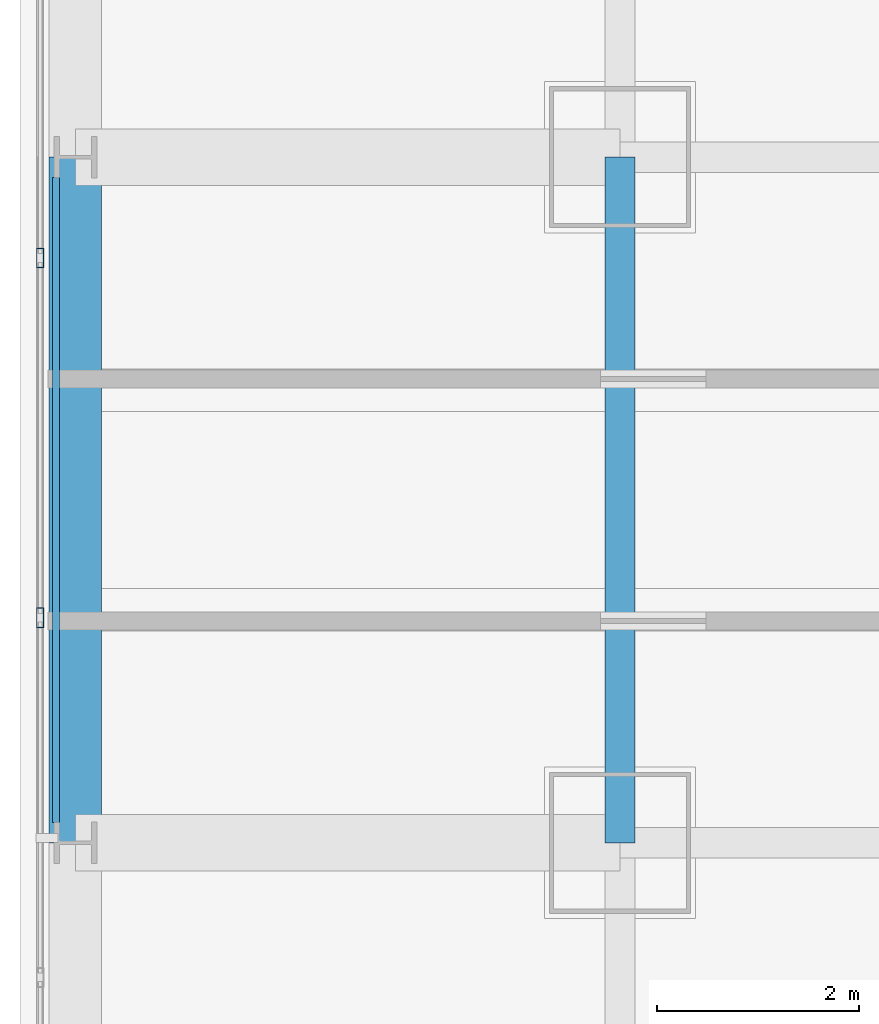
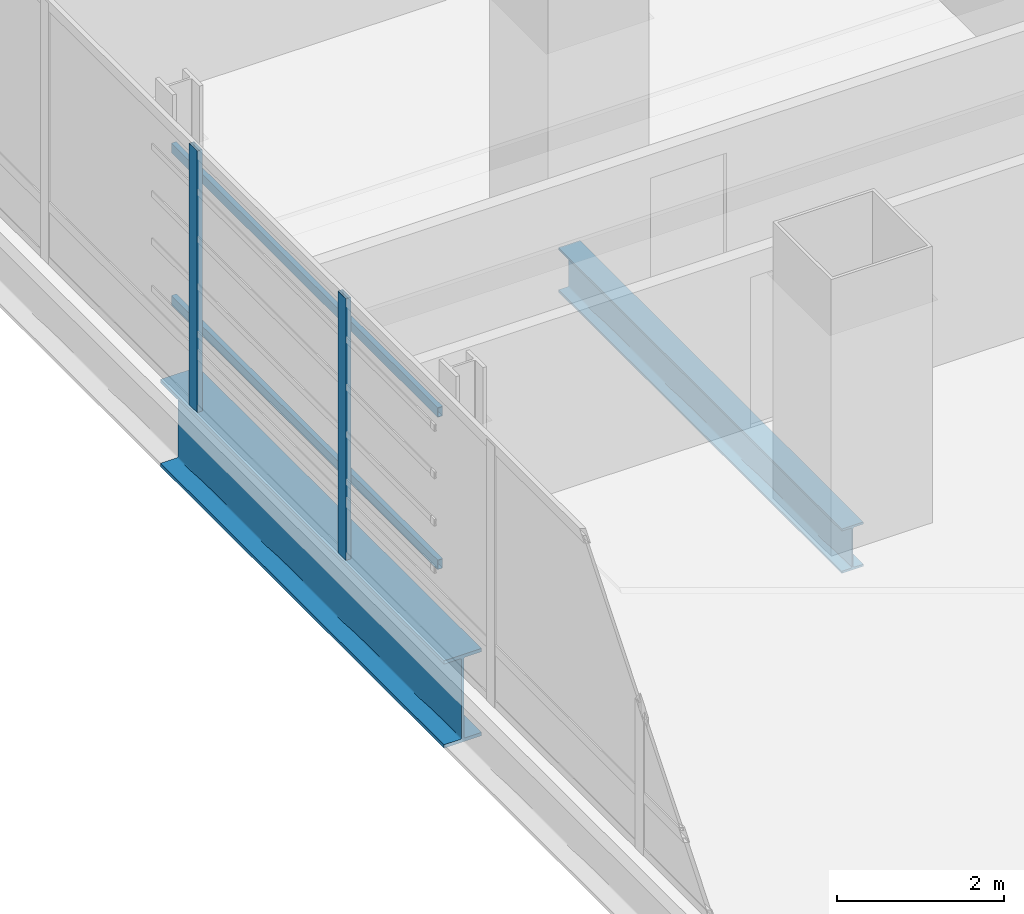
# One storey, part 10 of 38: 4 members, 2 beams, 1 element without a shape of its own.
"""IFC4 building model written with IfcOpenShell, lengths in metres."""

from ifc_helpers import new_model, si_unit, direction, frame, origin, origin_2d, place, context, subcontext, project, spatial, hollow_rectangle, i_section, extrude, material, material_profile, profile_set, type_object, element, aggregate, save


model = new_model("IFC4")

# Units and contexts
model_context = context("Model", 3, precision=1e-05, world=origin(), true_north=direction((0.0, 1.0)))
body_context = subcontext(model_context, "Body", "Model", "MODEL_VIEW")
ifc_project = project(units=[si_unit("LENGTHUNIT", "METRE"), si_unit("AREAUNIT", "SQUARE_METRE"), si_unit("VOLUMEUNIT", "CUBIC_METRE"), si_unit("PLANEANGLEUNIT", "RADIAN"), si_unit("MASSUNIT", "GRAM", prefix="KILO")], contexts=[model_context])

# Site, building, storey
site_placement = place(None, origin())
site = spatial("IfcSite", under=ifc_project, at=site_placement, CompositionType="ELEMENT")
building_placement = place(site_placement, origin())
building = spatial("IfcBuilding", under=site, at=building_placement, Name="Punatoya Terracotta Tower", CompositionType="ELEMENT")
storey_placement = place(building_placement, frame((0.0, 0.0, 143.85009765625)))
storey = spatial("IfcBuildingStorey", under=building, at=storey_placement, Name="L33", CompositionType="ELEMENT", Elevation=143.85009765625)

# Beams
ifc_material_1 = material(Name="Steel S355", Category="steel")
ifc_material_profile_1 = material_profile(ifc_material_1, i_section(OverallWidth=0.300048828125, OverallDepth=0.64990234375, WebThickness=0.01611328125, FlangeThickness=0.031005859375, FilletRadius=0.01806640625, at=origin_2d()))
ifc_profile_set_1 = profile_set([ifc_material_profile_1], Name="Steel S355")
beam_type_1 = type_object("IfcBeamType", Name="BM-PRI-650", PredefinedType="BEAM", material=ifc_profile_set_1)
beam_1_placement = place(storey_placement, frame((-19.10009765625, -3.39990234375, -0.545166015625), z_axis=(0.0, 1.0, 0.0), x_axis=(-1.0, 0.0, 0.0)))
element("IfcBeam", 1, at=beam_1_placement, inside=storey, type_object=beam_type_1, Name="BM-L33-RG-W2", PredefinedType="BEAM", context=body_context, shape_type="SweptSolid", body=[
    extrude(i_section(OverallWidth=0.300048828125, OverallDepth=0.64990234375, WebThickness=0.01611328125, FlangeThickness=0.031005859375, FilletRadius=0.01806640625, at=origin_2d()), origin(), (0.0, 0.0, 1.0), 6.7998046875),
])
ifc_material_2 = material(Name="Steel S460", Category="steel")
ifc_material_profile_2 = material_profile(ifc_material_2, i_section(OverallWidth=0.52001953125, OverallDepth=1.280029296875, WebThickness=0.031982421875, FlangeThickness=0.050048828125, FilletRadius=0.01806640625, at=origin_2d()))
ifc_profile_set_2 = profile_set([ifc_material_profile_2], Name="Steel S460")
beam_type_2 = type_object("IfcBeamType", Name="BM-TG-NCK", PredefinedType="BEAM", material=ifc_profile_set_2)
beam_2_placement = place(storey_placement, frame((-24.5, -3.39990234375, -0.860107421875), z_axis=(0.0, 1.0, 0.0), x_axis=(-1.0, 0.0, 0.0)))
element("IfcBeam", 2, at=beam_2_placement, inside=storey, type_object=beam_type_2, Name="BM-L33-PER-W2", PredefinedType="BEAM", context=body_context, shape_type="SweptSolid", body=[
    extrude(i_section(OverallWidth=0.52001953125, OverallDepth=1.280029296875, WebThickness=0.031982421875, FlangeThickness=0.050048828125, FilletRadius=0.01806640625, at=origin_2d()), origin(), (0.0, 0.0, 1.0), 6.7998046875),
])

# Curtain wall, members
ifc_material_3 = material(Name="Aluminium 6063-T6 + Double Low-E Glass", Category="aluminium")
curtain_wall_type = type_object("IfcCurtainWallType", Name="CW-M2", PredefinedType="NOTDEFINED", material=ifc_material_3)
curtain_wall_placement = place(storey_placement, origin())
curtain_wall = element("IfcCurtainWall", 3, at=curtain_wall_placement, inside=storey, type_object=curtain_wall_type, Name="L33 Curtain Wall CW-L33-W13-1", PredefinedType="NOTDEFINED")
ifc_material_4 = material(Name="Aluminium 6063-T6", Category="aluminium")
ifc_material_profile_3 = material_profile(ifc_material_4, hollow_rectangle(XDim=0.072021484375, YDim=0.195068359375, WallThickness=0.00439453125, at=origin_2d()))
ifc_profile_set_3 = profile_set([ifc_material_profile_3], Name="Aluminium 6063-T6")
member_type_1 = type_object("IfcMemberType", Name="CW-MUL-M2", PredefinedType="MULLION", material=ifc_profile_set_3)
member_1_placement = place(storey_placement, frame((-24.85009765625, 2.39990234375, 0.0), z_axis=(0.0, 0.0, 1.0), x_axis=(1.0, 0.0, 0.0)))
member_1 = element("IfcMember", 4, at=member_1_placement, type_object=member_type_1, Name="CW-L33-W13-1 Mullion 05", PredefinedType="MULLION", context=body_context, shape_type="SweptSolid", body=[
    extrude(hollow_rectangle(XDim=0.072021484375, YDim=0.195068359375, WallThickness=0.00439453125, at=origin_2d()), origin(), (0.0, 0.0, 1.0), 3.829833984375),
])
member_2_placement = place(storey_placement, frame((-24.85009765625, -1.16748046875, 0.0), z_axis=(0.0, 0.0, 1.0), x_axis=(1.0, 0.0, 0.0)))
member_2 = element("IfcMember", 5, at=member_2_placement, type_object=member_type_1, Name="CW-L33-W13-1 Mullion 06", PredefinedType="MULLION", context=body_context, shape_type="SweptSolid", body=[
    extrude(hollow_rectangle(XDim=0.072021484375, YDim=0.195068359375, WallThickness=0.00439453125, at=origin_2d()), origin(), (0.0, 0.0, 1.0), 3.829833984375),
])
aggregate(curtain_wall, [member_1, member_2])

# Members
ifc_material_profile_4 = material_profile(ifc_material_1, hollow_rectangle(XDim=0.070068359375, YDim=0.139892578125, WallThickness=0.006103515625, at=origin_2d()))
ifc_profile_set_4 = profile_set([ifc_material_profile_4], Name="Steel S355")
member_type_2 = type_object("IfcMemberType", Name="MEM-BAG-RAIL", PredefinedType="USERDEFINED", material=ifc_profile_set_4)
for number, where, z_axis, x_axis, name in (
    (6, (-24.694580078125, -3.196044921875, 1.0498046875), (0.0, 1.0, 0.0), (-1.0, 0.0, 0.0), "L33 Terracotta Baguette Carrier Rail BAG-L33-W-R1"),
    (7, (-24.694580078125, -3.196044921875, 3.27978515625), (0.0, 1.0, 0.0), (-1.0, 0.0, 0.0), "L33 Terracotta Baguette Carrier Rail BAG-L33-W-R2"),
):
    element("IfcMember", number, at=place(storey_placement, frame(where, z_axis=z_axis, x_axis=x_axis)), inside=storey, type_object=member_type_2, Name=name, ObjectType="BAGUETTE", PredefinedType="USERDEFINED", context=body_context, shape_type="SweptSolid", body=[
        extrude(hollow_rectangle(XDim=0.070068359375, YDim=0.139892578125, WallThickness=0.006103515625, at=origin_2d()), origin(), (0.0, 0.0, 1.0), 6.39208984375),
    ])

save(model, "model.ifc")
